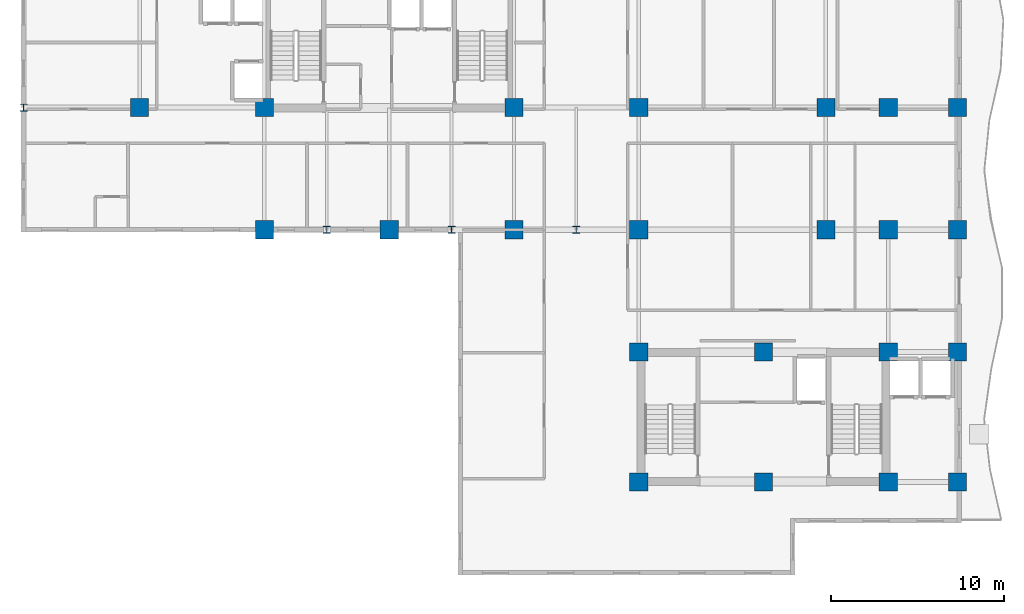
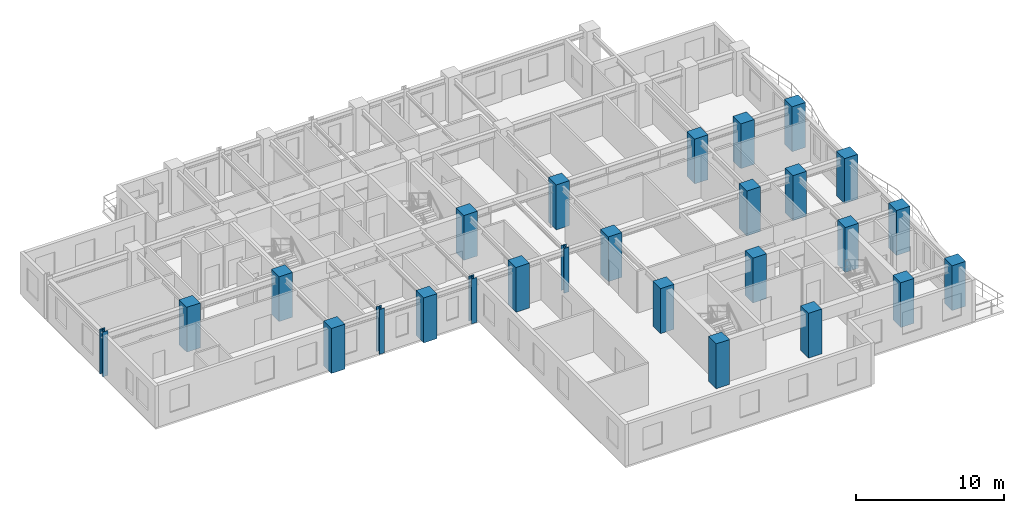
# One storey, part 1 of 13: 26 columns.
"""IFC4 building model written with IfcOpenShell, lengths in metres."""

from ifc_helpers import new_model, si_unit, direction, frame, origin, origin_2d, place, context, subcontext, project, spatial, rectangle, i_section, extrude, source, transform, mapped, material, material_profile, profile_set, type_object, element, save


model = new_model("IFC4")

# Units and contexts
model_context = context("Model", 3, precision=1e-05, world=origin(), true_north=direction((0.0, 1.0)))
body_context = subcontext(model_context, "Body", "Model", "MODEL_VIEW")
ifc_project = project(units=[si_unit("LENGTHUNIT", "METRE"), si_unit("AREAUNIT", "SQUARE_METRE"), si_unit("VOLUMEUNIT", "CUBIC_METRE"), si_unit("PLANEANGLEUNIT", "RADIAN"), si_unit("MASSUNIT", "GRAM", prefix="KILO")], contexts=[model_context])

# Site, building, storey
site_placement = place(None, origin())
site = spatial("IfcSite", under=ifc_project, at=site_placement, CompositionType="ELEMENT")
building_placement = place(site_placement, origin())
building = spatial("IfcBuilding", under=site, at=building_placement, Name="Kaliganga Portal Commons", CompositionType="ELEMENT")
storey_placement = place(building_placement, frame((0.0, 0.0, 177.199951171875)))
storey = spatial("IfcBuildingStorey", under=building, at=storey_placement, Name="L45", CompositionType="ELEMENT", Elevation=177.199951171875)

# Columns
ifc_material_1 = material(Name="Concrete C60/75", Category="concrete")
ifc_material_profile_1 = material_profile(ifc_material_1, rectangle(XDim=1.050048828125, YDim=1.050048828125, at=origin_2d()), Name="RC 1050x1050")
ifc_profile_set_1 = profile_set([ifc_material_profile_1], Name="Concrete C60/75")
column_type_1 = type_object("IfcColumnType", Name="COL-MEGA-Z3", PredefinedType="COLUMN", material=ifc_profile_set_1)
shared_shape_1 = source(origin(), body_context, "Body", "SweptSolid", [
    extrude(rectangle(XDim=1.050048828125, YDim=1.050048828125, at=origin_2d()), origin(), (0.0, 0.0, 1.0), 3.699951171875),
])
for number, where, z_axis, x_axis, name in (
    (1, (7.199951171875, 28.64990234375, 0.0), (0.0, 0.0, 1.0), (1.0, 0.0, 0.0), "Column MC-04 L45"),
    (2, (14.39990234375, 21.60009765625, 0.0), (0.0, 0.0, 1.0), (1.0, 0.0, 0.0), "Column MC-04 L45"),
    (3, (14.39990234375, 28.64990234375, 0.0), (0.0, 0.0, 1.0), (1.0, 0.0, 0.0), "Column MC-04 L45"),
    (4, (21.60009765625, 21.60009765625, 0.0), (0.0, 0.0, 1.0), (1.0, 0.0, 0.0), "Column MC-04 L45"),
    (5, (28.800048828125, 21.60009765625, 0.0), (0.0, 0.0, 1.0), (1.0, 0.0, 0.0), "Column MC-04 L45"),
    (6, (28.800048828125, 28.64990234375, 0.0), (0.0, 0.0, 1.0), (1.0, 0.0, 0.0), "Column MC-04 L45"),
    (7, (36.0, 21.60009765625, 0.0), (0.0, 0.0, 1.0), (1.0, 0.0, 0.0), "Column MC-04 L45"),
    (8, (36.0, 28.64990234375, 0.0), (0.0, 0.0, 1.0), (1.0, 0.0, 0.0), "Column MC-04 L45"),
    (9, (46.800048828125, 21.60009765625, 0.0), (0.0, 0.0, 1.0), (1.0, 0.0, 0.0), "Column MC-04 L45"),
    (10, (46.800048828125, 28.64990234375, 0.0), (0.0, 0.0, 1.0), (1.0, 0.0, 0.0), "Column MC-04 L45"),
    (11, (36.0, 7.050048828125, 0.0), (0.0, 0.0, 1.0), (1.0, 0.0, 0.0), "Column MC-04 L45"),
    (12, (36.0, 14.550048828125, 0.0), (0.0, 0.0, 1.0), (1.0, 0.0, 0.0), "Column MC-04 L45"),
    (13, (43.199951171875, 7.050048828125, 0.0), (0.0, 0.0, 1.0), (1.0, 0.0, 0.0), "Column MC-04 L45"),
    (14, (43.199951171875, 14.550048828125, 0.0), (0.0, 0.0, 1.0), (1.0, 0.0, 0.0), "Column MC-04 L45"),
    (15, (50.39990234375, 7.050048828125, 0.0), (0.0, 0.0, 1.0), (1.0, 0.0, 0.0), "Column MC-04 L45"),
    (16, (50.39990234375, 14.550048828125, 0.0), (0.0, 0.0, 1.0), (1.0, 0.0, 0.0), "Column MC-04 L45"),
    (17, (50.39990234375, 21.60009765625, 0.0), (0.0, 0.0, 1.0), (1.0, 0.0, 0.0), "Column MC-04 L45"),
    (18, (50.39990234375, 28.64990234375, 0.0), (0.0, 0.0, 1.0), (1.0, 0.0, 0.0), "Column MC-04 L45"),
    (19, (54.39990234375, 7.050048828125, 0.0), (0.0, 0.0, 1.0), (1.0, 0.0, 0.0), "Column MC-04 L45"),
    (20, (54.39990234375, 14.550048828125, 0.0), (0.0, 0.0, 1.0), (1.0, 0.0, 0.0), "Column MC-04 L45"),
    (21, (54.39990234375, 21.60009765625, 0.0), (0.0, 0.0, 1.0), (1.0, 0.0, 0.0), "Column MC-04 L45"),
    (22, (54.39990234375, 28.64990234375, 0.0), (0.0, 0.0, 1.0), (1.0, 0.0, 0.0), "Column MC-04 L45"),
):
    element("IfcColumn", number, at=place(storey_placement, frame(where, z_axis=z_axis, x_axis=x_axis)), inside=storey, type_object=column_type_1, Name=name, PredefinedType="COLUMN", context=body_context, shape_type="MappedRepresentation", body=[
        mapped(shared_shape_1, transform((0.0, 0.0, 0.0), x_axis=(1.0, 0.0, 0.0), y_axis=(0.0, 1.0, 0.0), z_axis=(0.0, 0.0, 1.0), scale=1.0)),
    ])
ifc_material_2 = material(Name="Structural steel S460M", Category="steel")
ifc_material_profile_2 = material_profile(ifc_material_2, i_section(OverallWidth=0.404052734375, OverallDepth=0.4140625, WebThickness=0.0205078125, FlangeThickness=0.028076171875, FilletRadius=0.014892578125, at=origin_2d()), Name="HD 400x347")
ifc_profile_set_2 = profile_set([ifc_material_profile_2], Name="Structural steel S460M wide-flange")
column_type_2 = type_object("IfcColumnType", Name="COL-TUBE-B3", PredefinedType="COLUMN", material=ifc_profile_set_2)
shared_shape_2 = source(origin(), body_context, "Body", "SweptSolid", [
    extrude(i_section(OverallWidth=0.404052734375, OverallDepth=0.4140625, WebThickness=0.0205078125, FlangeThickness=0.028076171875, FilletRadius=0.014892578125, at=origin_2d()), origin(), (0.0, 0.0, 1.0), 3.699951171875),
])
for number, where, z_axis, x_axis, name in (
    (23, (0.5, 28.64990234375, 0.0), (0.0, 0.0, 1.0), (1.0, 0.0, 0.0), "Column TC-03 L45"),
    (24, (18.0, 21.60009765625, 0.0), (0.0, 0.0, 1.0), (1.0, 0.0, 0.0), "Column TC-03 L45"),
    (25, (25.199951171875, 21.60009765625, 0.0), (0.0, 0.0, 1.0), (1.0, 0.0, 0.0), "Column TC-03 L45"),
    (26, (32.39990234375, 21.60009765625, 0.0), (0.0, 0.0, 1.0), (1.0, 0.0, 0.0), "Column TC-03 L45"),
):
    element("IfcColumn", number, at=place(storey_placement, frame(where, z_axis=z_axis, x_axis=x_axis)), inside=storey, type_object=column_type_2, Name=name, PredefinedType="COLUMN", context=body_context, shape_type="MappedRepresentation", body=[
        mapped(shared_shape_2, transform((0.0, 0.0, 0.0), x_axis=(1.0, 0.0, 0.0), y_axis=(0.0, 1.0, 0.0), z_axis=(0.0, 0.0, 1.0), scale=1.0)),
    ])

save(model, "model.ifc")
